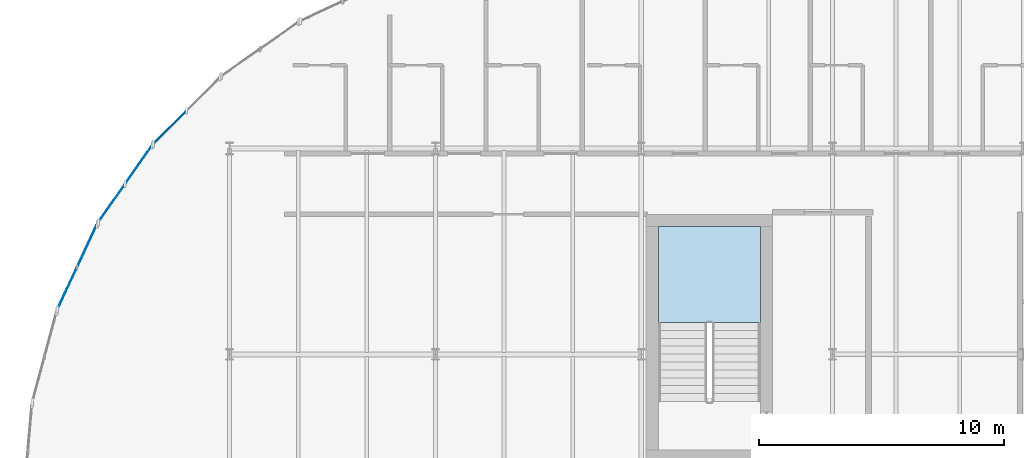
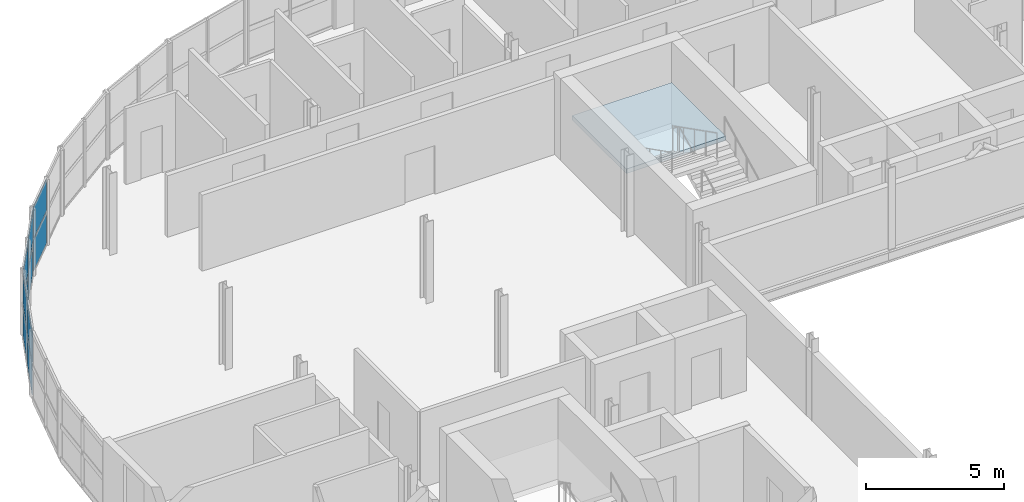
# One storey, part 13 of 34: 10 plates, 1 slab, 4 elements without a shape of their own.
"""IFC4 building model written with IfcOpenShell, lengths in metres."""

from ifc_helpers import new_model, si_unit, direction, frame, origin, origin_2d, place, context, subcontext, project, spatial, polyline, rectangle, outline, extrude, material, layer, layer_set, type_object, element, aggregate, save


model = new_model("IFC4")

# Units and contexts
model_context = context("Model", 3, precision=1e-05, world=origin(), true_north=direction((0.0, 1.0)))
body_context = subcontext(model_context, "Body", "Model", "MODEL_VIEW")
ifc_project = project(units=[si_unit("LENGTHUNIT", "METRE"), si_unit("AREAUNIT", "SQUARE_METRE"), si_unit("VOLUMEUNIT", "CUBIC_METRE"), si_unit("PLANEANGLEUNIT", "RADIAN"), si_unit("MASSUNIT", "GRAM", prefix="KILO")], contexts=[model_context])

# Site, building, storey
site_placement = place(None, origin())
site = spatial("IfcSite", under=ifc_project, at=site_placement, CompositionType="ELEMENT")
building_placement = place(site_placement, origin())
building = spatial("IfcBuilding", under=site, at=building_placement, Name="Sefraquen Railside Congress Hotel", CompositionType="ELEMENT")
storey_placement = place(building_placement, frame((0.0, 0.0, 31.800048828125)))
storey = spatial("IfcBuildingStorey", under=building, at=storey_placement, Name="L07", CompositionType="ELEMENT", Elevation=31.800048828125)

# Curtain wall, plate
ifc_material_1 = material(Name="Thermally broken anodised aluminium and low-E double glazing", Category="aluminium")
ifc_layer_1 = layer(ifc_material_1, 0.199951171875)
ifc_layer_set_1 = layer_set([ifc_layer_1], Name="Thermally broken anodised aluminium and low-E double glazing")
curtain_wall_type_1 = type_object("IfcCurtainWallType", Name="TCW-UCW-04", PredefinedType="USERDEFINED", material=ifc_layer_set_1)
curtain_wall_1_placement = place(storey_placement, origin())
curtain_wall_1 = element("IfcCurtainWall", 1, at=curtain_wall_1_placement, inside=storey, type_object=curtain_wall_type_1, Name="Rotunda L07 curved curtain wall facet 5", ObjectType="UNITISED CURTAIN WALL", PredefinedType="USERDEFINED")
ifc_material_2 = material(Name="Solar-control low-E double glazing", Category="glass")
ifc_layer_2 = layer(ifc_material_2, 0.02392578125)
ifc_layer_set_2 = layer_set([ifc_layer_2], Name="Solar-control low-E double glazing")
plate_type_1 = type_object("IfcPlateType", Name="TP-CWP-01", PredefinedType="CURTAIN_PANEL", material=ifc_layer_set_2)
plate_1_placement = place(storey_placement, frame((5.971435546875, 110.670166015625, 0.0400390625), z_axis=(0.0, 0.0, 1.0), x_axis=(-0.707106781187, -0.707106781187, 0.0)))
plate_1 = element("IfcPlate", 2, at=plate_1_placement, type_object=plate_type_1, Name="CW-L07-ROT-05 panel 1.2", PredefinedType="CURTAIN_PANEL", context=body_context, shape_type="SweptSolid", body=[
    extrude(rectangle(XDim=1.8310546875, YDim=0.02392578125, at=origin_2d()), origin(), (0.0, 0.0, 1.0), 1.375),
])

# Curtain wall, plates
ifc_layer_3 = layer(ifc_material_1, 0.199951171875)
ifc_layer_set_3 = layer_set([ifc_layer_3], Name="Thermally broken anodised aluminium and low-E double glazing")
curtain_wall_type_2 = type_object("IfcCurtainWallType", Name="TCW-UCW-05", PredefinedType="USERDEFINED", material=ifc_layer_set_3)
curtain_wall_2_placement = place(storey_placement, origin())
curtain_wall_2 = element("IfcCurtainWall", 3, at=curtain_wall_2_placement, inside=storey, type_object=curtain_wall_type_2, Name="Rotunda L07 curved curtain wall facet 6", ObjectType="UNITISED CURTAIN WALL", PredefinedType="USERDEFINED")
plate_2_placement = place(storey_placement, frame((4.690185546875, 109.14306640625, 0.0400390625), z_axis=(0.0, 0.0, 1.0), x_axis=(-0.573605029802, -0.819132022195, 0.0)))
plate_2 = element("IfcPlate", 4, at=plate_2_placement, type_object=plate_type_1, Name="CW-L07-ROT-06 panel 1.1", PredefinedType="CURTAIN_PANEL", context=body_context, shape_type="SweptSolid", body=[
    extrude(rectangle(XDim=1.8310546875, YDim=0.02392578125, at=origin_2d()), origin(), (0.0, 0.0, 1.0), 1.375),
])
plate_3_placement = place(storey_placement, frame((3.58837890625, 107.569580078125, 0.0400390625), z_axis=(0.0, 0.0, 1.0), x_axis=(-0.573605029802, -0.819132022195, 0.0)))
plate_3 = element("IfcPlate", 5, at=plate_3_placement, type_object=plate_type_1, Name="CW-L07-ROT-06 panel 1.2", PredefinedType="CURTAIN_PANEL", context=body_context, shape_type="SweptSolid", body=[
    extrude(rectangle(XDim=1.8310546875, YDim=0.02392578125, at=origin_2d()), origin(), (0.0, 0.0, 1.0), 1.375),
])

ifc_layer_4 = layer(ifc_material_1, 0.199951171875)
ifc_layer_set_4 = layer_set([ifc_layer_4], Name="Thermally broken anodised aluminium and low-E double glazing")
curtain_wall_type_3 = type_object("IfcCurtainWallType", Name="TCW-UCW-06", PredefinedType="USERDEFINED", material=ifc_layer_set_4)
curtain_wall_3_placement = place(storey_placement, origin())
curtain_wall_3 = element("IfcCurtainWall", 6, at=curtain_wall_3_placement, inside=storey, type_object=curtain_wall_type_3, Name="Rotunda L07 curved curtain wall facet 7", ObjectType="UNITISED CURTAIN WALL", PredefinedType="USERDEFINED")
plate_4_placement = place(storey_placement, frame((2.591552734375, 105.84326171875, 0.0400390625), z_axis=(0.0, 0.0, 1.0), x_axis=(-0.422634079731, -0.906300410818, 0.0)))
plate_4 = element("IfcPlate", 7, at=plate_4_placement, type_object=plate_type_1, Name="CW-L07-ROT-07 panel 1.1", PredefinedType="CURTAIN_PANEL", context=body_context, shape_type="SweptSolid", body=[
    extrude(rectangle(XDim=1.830810546875, YDim=0.02392578125, at=origin_2d()), origin(), (0.0, 0.0, 1.0), 1.375),
])
plate_5_placement = place(storey_placement, frame((1.77978515625, 104.102294921875, 0.0400390625), z_axis=(0.0, 0.0, 1.0), x_axis=(-0.422634079731, -0.906300410818, 0.0)))
plate_5 = element("IfcPlate", 8, at=plate_5_placement, type_object=plate_type_1, Name="CW-L07-ROT-07 panel 1.2", PredefinedType="CURTAIN_PANEL", context=body_context, shape_type="SweptSolid", body=[
    extrude(rectangle(XDim=1.830810546875, YDim=0.02392578125, at=origin_2d()), origin(), (0.0, 0.0, 1.0), 1.375),
])

# Plate
ifc_material_3 = material(Name="Triple acoustic solar-control glazing", Category="glass")
ifc_layer_5 = layer(ifc_material_3, 0.031982421875)
ifc_layer_set_5 = layer_set([ifc_layer_5], Name="Triple acoustic solar-control glazing")
plate_type_2 = type_object("IfcPlateType", Name="TP-CWP-02", PredefinedType="CURTAIN_PANEL", material=ifc_layer_set_5)
plate_6_placement = place(storey_placement, frame((5.971435546875, 110.670166015625, 1.494873046875), z_axis=(0.0, 0.0, 1.0), x_axis=(-0.707106781187, -0.707106781187, 0.0)))
plate_6 = element("IfcPlate", 9, at=plate_6_placement, type_object=plate_type_2, Name="CW-L07-ROT-05 panel 2.2", PredefinedType="CURTAIN_PANEL", context=body_context, shape_type="SweptSolid", body=[
    extrude(rectangle(XDim=1.8310546875, YDim=0.031982421875, at=origin_2d()), origin(), (0.0, 0.0, 1.0), 1.375),
])

aggregate(curtain_wall_1, [plate_1, plate_6])

plate_7_placement = place(storey_placement, frame((4.690185546875, 109.14306640625, 1.494873046875), z_axis=(0.0, 0.0, 1.0), x_axis=(-0.573605029802, -0.819132022195, 0.0)))
plate_7 = element("IfcPlate", 10, at=plate_7_placement, type_object=plate_type_2, Name="CW-L07-ROT-06 panel 2.1", PredefinedType="CURTAIN_PANEL", context=body_context, shape_type="SweptSolid", body=[
    extrude(rectangle(XDim=1.8310546875, YDim=0.031982421875, at=origin_2d()), origin(), (0.0, 0.0, 1.0), 1.375),
])

plate_8_placement = place(storey_placement, frame((3.58837890625, 107.569580078125, 1.494873046875), z_axis=(0.0, 0.0, 1.0), x_axis=(-0.573605029802, -0.819132022195, 0.0)))
plate_8 = element("IfcPlate", 11, at=plate_8_placement, type_object=plate_type_2, Name="CW-L07-ROT-06 panel 2.2", PredefinedType="CURTAIN_PANEL", context=body_context, shape_type="SweptSolid", body=[
    extrude(rectangle(XDim=1.8310546875, YDim=0.031982421875, at=origin_2d()), origin(), (0.0, 0.0, 1.0), 1.375),
])

aggregate(curtain_wall_2, [plate_2, plate_3, plate_7, plate_8])

plate_9_placement = place(storey_placement, frame((2.591552734375, 105.84326171875, 1.494873046875), z_axis=(0.0, 0.0, 1.0), x_axis=(-0.422634079731, -0.906300410818, 0.0)))
plate_9 = element("IfcPlate", 12, at=plate_9_placement, type_object=plate_type_2, Name="CW-L07-ROT-07 panel 2.1", PredefinedType="CURTAIN_PANEL", context=body_context, shape_type="SweptSolid", body=[
    extrude(rectangle(XDim=1.830810546875, YDim=0.031982421875, at=origin_2d()), origin(), (0.0, 0.0, 1.0), 1.375),
])

plate_10_placement = place(storey_placement, frame((1.77978515625, 104.102294921875, 1.494873046875), z_axis=(0.0, 0.0, 1.0), x_axis=(-0.422634079731, -0.906300410818, 0.0)))
plate_10 = element("IfcPlate", 13, at=plate_10_placement, type_object=plate_type_2, Name="CW-L07-ROT-07 panel 2.2", PredefinedType="CURTAIN_PANEL", context=body_context, shape_type="SweptSolid", body=[
    extrude(rectangle(XDim=1.830810546875, YDim=0.031982421875, at=origin_2d()), origin(), (0.0, 0.0, 1.0), 1.375),
])

aggregate(curtain_wall_3, [plate_4, plate_5, plate_9, plate_10])

# Stair, slab
ifc_material_4 = material(Name="Concrete C40/50", Category="concrete")
stair_type = type_object("IfcStairType", Name="TST-DOG-198-420", PredefinedType="HALF_TURN_STAIR", material=ifc_material_4)
stair_placement = place(storey_placement, origin())
stair = element("IfcStair", 14, at=stair_placement, inside=storey, type_object=stair_type, Name="L07 Pressurized escape stair ST-H02", PredefinedType="HALF_TURN_STAIR")
ifc_layer_6 = layer(ifc_material_4, 0.199951171875)
ifc_layer_set_6 = layer_set([ifc_layer_6], Name="Concrete C40/50")
slab_type = type_object("IfcSlabType", Name="TS-LD-200", PredefinedType="LANDING", material=ifc_layer_set_6)
slab_placement = place(storey_placement, frame((0.0, 0.0, 1.599853515625)))
slab = element("IfcSlab", 15, at=slab_placement, type_object=slab_type, Name="ST-H02 landing 1", PredefinedType="LANDING", context=body_context, shape_type="SweptSolid", body=[
    extrude(outline(polyline([(30.06005859375, 102.699951171875), (30.06005859375, 106.612060546875), (25.89990234375, 106.612060546875), (25.89990234375, 102.699951171875), (30.06005859375, 102.699951171875)])), origin(), (0.0, 0.0, 1.0), 0.2001953125),
])
aggregate(stair, [slab])

save(model, "model.ifc")
